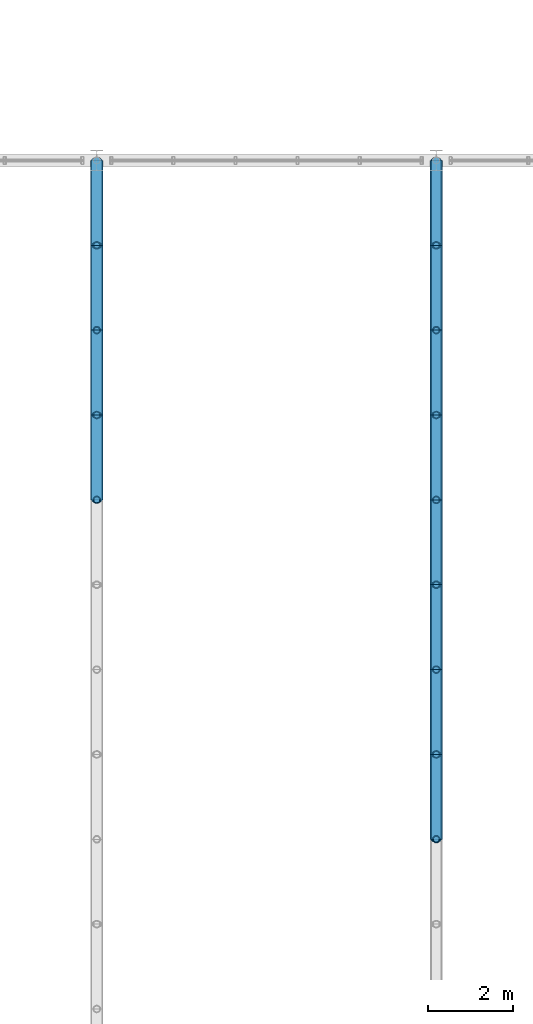
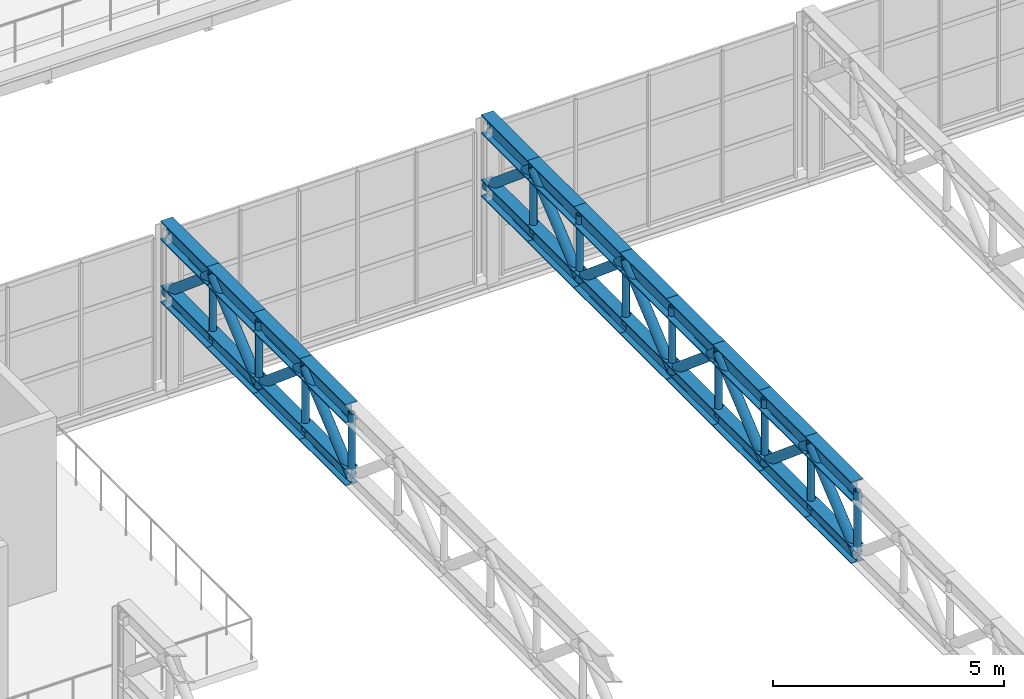
# One storey, part 27 of 67: 48 members.
"""IFC4 building model written with IfcOpenShell, lengths in metres."""

from ifc_helpers import new_model, si_unit, derived_unit, direction, frame, origin, origin_2d, place, context, subcontext, project, spatial, hollow_circle, i_section, extrude, material, material_profile, profile_set, type_object, element, save


model = new_model("IFC4")

# Units and contexts
model_context = context("Model", 3, precision=1e-05, world=origin(), true_north=direction((0.0, 1.0)))
body_context = subcontext(model_context, "Body", "Model", "MODEL_VIEW")
ifc_project = project(units=[si_unit("LENGTHUNIT", "METRE"), si_unit("AREAUNIT", "SQUARE_METRE"), si_unit("VOLUMEUNIT", "CUBIC_METRE"), si_unit("PLANEANGLEUNIT", "RADIAN"), si_unit("MASSUNIT", "GRAM", prefix="KILO"), derived_unit("THERMALTRANSMITTANCEUNIT", [(si_unit("POWERUNIT", "WATT"), 1), (si_unit("LENGTHUNIT", "METRE"), -2), (si_unit("THERMODYNAMICTEMPERATUREUNIT", "KELVIN"), -1)])], contexts=[model_context])

# Site, building, storey
site_placement = place(None, origin())
site = spatial("IfcSite", under=ifc_project, at=site_placement, CompositionType="ELEMENT")
building_placement = place(site_placement, origin())
building = spatial("IfcBuilding", under=site, at=building_placement, Name="Keldorne Ridge Multi-Sports Centre", CompositionType="ELEMENT")
storey_placement = place(building_placement, frame((0.0, 0.0, 14.0)))
storey = spatial("IfcBuildingStorey", under=building, at=storey_placement, Name="L03", CompositionType="ELEMENT", Elevation=14.0)

# Members
ifc_material = material(Name="Steel S355", Category="steel")
ifc_material_profile_1 = material_profile(ifc_material, i_section(OverallWidth=0.300048828125, OverallDepth=0.5, WebThickness=0.014404296875, FlangeThickness=0.028076171875, FilletRadius=0.027099609375, at=origin_2d()), Name="HEB 500")
ifc_profile_set_1 = profile_set([ifc_material_profile_1], Name="Steel S355")
member_type_1 = type_object("IfcMemberType", Name="MEM-TC-03", PredefinedType="CHORD", material=ifc_profile_set_1)
for number, where, z_axis, x_axis, name in (
    (1, (120.0, 46.0, 4.110107421875), (0.0, 1.0, 0.0), (-1.0, 0.0, 0.0), "Stacked Courts Warren TRUSS WT-L04-03 top chord 21"),
    (2, (120.0, 48.0, 4.110107421875), (0.0, 1.0, 0.0), (-1.0, 0.0, 0.0), "Stacked Courts Warren TRUSS WT-L04-03 top chord 22"),
    (3, (120.0, 50.0, 4.110107421875), (0.0, 1.0, 0.0), (-1.0, 0.0, 0.0), "Stacked Courts Warren TRUSS WT-L04-03 top chord 23"),
    (4, (120.0, 52.0, 4.110107421875), (0.0, 1.0, 0.0), (-1.0, 0.0, 0.0), "Stacked Courts Warren TRUSS WT-L04-03 top chord 24"),
    (5, (128.0, 38.0, 4.110107421875), (0.0, 1.0, 0.0), (-1.0, 0.0, 0.0), "Stacked Courts Warren TRUSS WT-L04-04 top chord 17"),
    (6, (128.0, 40.0, 4.110107421875), (0.0, 1.0, 0.0), (-1.0, 0.0, 0.0), "Stacked Courts Warren TRUSS WT-L04-04 top chord 18"),
    (7, (128.0, 42.0, 4.110107421875), (0.0, 1.0, 0.0), (-1.0, 0.0, 0.0), "Stacked Courts Warren TRUSS WT-L04-04 top chord 19"),
    (8, (128.0, 44.0, 4.110107421875), (0.0, 1.0, 0.0), (-1.0, 0.0, 0.0), "Stacked Courts Warren TRUSS WT-L04-04 top chord 20"),
    (9, (128.0, 46.0, 4.110107421875), (0.0, 1.0, 0.0), (-1.0, 0.0, 0.0), "Stacked Courts Warren TRUSS WT-L04-04 top chord 21"),
    (10, (128.0, 48.0, 4.110107421875), (0.0, 1.0, 0.0), (-1.0, 0.0, 0.0), "Stacked Courts Warren TRUSS WT-L04-04 top chord 22"),
    (11, (128.0, 50.0, 4.110107421875), (0.0, 1.0, 0.0), (-1.0, 0.0, 0.0), "Stacked Courts Warren TRUSS WT-L04-04 top chord 23"),
    (12, (128.0, 52.0, 4.110107421875), (0.0, 1.0, 0.0), (-1.0, 0.0, 0.0), "Stacked Courts Warren TRUSS WT-L04-04 top chord 24"),
):
    element("IfcMember", number, at=place(storey_placement, frame(where, z_axis=z_axis, x_axis=x_axis)), inside=storey, type_object=member_type_1, Name=name, PredefinedType="CHORD", context=body_context, shape_type="SweptSolid", body=[
        extrude(i_section(OverallWidth=0.300048828125, OverallDepth=0.5, WebThickness=0.014404296875, FlangeThickness=0.028076171875, FilletRadius=0.027099609375, at=origin_2d()), origin(), (0.0, 0.0, 1.0), 2.0),
    ])
ifc_material_profile_2 = material_profile(ifc_material, i_section(OverallWidth=0.300048828125, OverallDepth=0.449951171875, WebThickness=0.013916015625, FlangeThickness=0.02587890625, FilletRadius=0.027099609375, at=origin_2d()), Name="HEB 450")
ifc_profile_set_2 = profile_set([ifc_material_profile_2], Name="Steel S355")
member_type_2 = type_object("IfcMemberType", Name="MEM-TC-04", PredefinedType="CHORD", material=ifc_profile_set_2)
for number, where, z_axis, x_axis, name in (
    (13, (120.0, 46.0, 2.429931640625), (0.0, 1.0, 0.0), (-1.0, 0.0, 0.0), "Stacked Courts Warren TRUSS WT-L04-03 bottom chord 21"),
    (14, (120.0, 48.0, 2.429931640625), (0.0, 1.0, 0.0), (-1.0, 0.0, 0.0), "Stacked Courts Warren TRUSS WT-L04-03 bottom chord 22"),
    (15, (120.0, 50.0, 2.429931640625), (0.0, 1.0, 0.0), (-1.0, 0.0, 0.0), "Stacked Courts Warren TRUSS WT-L04-03 bottom chord 23"),
    (16, (120.0, 52.0, 2.429931640625), (0.0, 1.0, 0.0), (-1.0, 0.0, 0.0), "Stacked Courts Warren TRUSS WT-L04-03 bottom chord 24"),
    (17, (128.0, 38.0, 2.429931640625), (0.0, 1.0, 0.0), (-1.0, 0.0, 0.0), "Stacked Courts Warren TRUSS WT-L04-04 bottom chord 17"),
    (18, (128.0, 40.0, 2.429931640625), (0.0, 1.0, 0.0), (-1.0, 0.0, 0.0), "Stacked Courts Warren TRUSS WT-L04-04 bottom chord 18"),
    (19, (128.0, 42.0, 2.429931640625), (0.0, 1.0, 0.0), (-1.0, 0.0, 0.0), "Stacked Courts Warren TRUSS WT-L04-04 bottom chord 19"),
    (20, (128.0, 44.0, 2.429931640625), (0.0, 1.0, 0.0), (-1.0, 0.0, 0.0), "Stacked Courts Warren TRUSS WT-L04-04 bottom chord 20"),
    (21, (128.0, 46.0, 2.429931640625), (0.0, 1.0, 0.0), (-1.0, 0.0, 0.0), "Stacked Courts Warren TRUSS WT-L04-04 bottom chord 21"),
    (22, (128.0, 48.0, 2.429931640625), (0.0, 1.0, 0.0), (-1.0, 0.0, 0.0), "Stacked Courts Warren TRUSS WT-L04-04 bottom chord 22"),
    (23, (128.0, 50.0, 2.429931640625), (0.0, 1.0, 0.0), (-1.0, 0.0, 0.0), "Stacked Courts Warren TRUSS WT-L04-04 bottom chord 23"),
    (24, (128.0, 52.0, 2.429931640625), (0.0, 1.0, 0.0), (-1.0, 0.0, 0.0), "Stacked Courts Warren TRUSS WT-L04-04 bottom chord 24"),
):
    element("IfcMember", number, at=place(storey_placement, frame(where, z_axis=z_axis, x_axis=x_axis)), inside=storey, type_object=member_type_2, Name=name, PredefinedType="CHORD", context=body_context, shape_type="SweptSolid", body=[
        extrude(i_section(OverallWidth=0.300048828125, OverallDepth=0.449951171875, WebThickness=0.013916015625, FlangeThickness=0.02587890625, FilletRadius=0.027099609375, at=origin_2d()), origin(), (0.0, 0.0, 1.0), 2.0),
    ])
ifc_material_profile_3 = material_profile(ifc_material, hollow_circle(Radius=0.122314453125, WallThickness=0.012451171875, at=origin_2d()), Name="CHS 244.5x12.5")
ifc_profile_set_3 = profile_set([ifc_material_profile_3], Name="Steel S355")
member_type_3 = type_object("IfcMemberType", Name="MEM-TD-02", PredefinedType="BRACE", material=ifc_profile_set_3)
for number, where, z_axis, x_axis, name in (
    (25, (120.0, 46.0, 2.429931640625), (0.0, 0.765671721121, 0.643231541108), (-1.0, 0.0, 0.0), "Stacked Courts Warren TRUSS WT-L04-03 diagonal 21"),
    (26, (120.0, 48.0, 4.110107421875), (0.0, 0.765671721121, -0.643231541108), (-1.0, 0.0, 0.0), "Stacked Courts Warren TRUSS WT-L04-03 diagonal 22"),
    (27, (120.0, 50.0, 2.429931640625), (0.0, 0.765671721121, 0.643231541108), (-1.0, 0.0, 0.0), "Stacked Courts Warren TRUSS WT-L04-03 diagonal 23"),
    (28, (120.0, 52.0, 4.110107421875), (0.0, 0.765671721121, -0.643231541108), (-1.0, 0.0, 0.0), "Stacked Courts Warren TRUSS WT-L04-03 diagonal 24"),
    (29, (128.0, 38.0, 2.429931640625), (0.0, 0.765671721121, 0.643231541108), (-1.0, 0.0, 0.0), "Stacked Courts Warren TRUSS WT-L04-04 diagonal 17"),
    (30, (128.0, 40.0, 4.110107421875), (0.0, 0.765671721121, -0.643231541108), (-1.0, 0.0, 0.0), "Stacked Courts Warren TRUSS WT-L04-04 diagonal 18"),
    (31, (128.0, 42.0, 2.429931640625), (0.0, 0.765671721121, 0.643231541108), (-1.0, 0.0, 0.0), "Stacked Courts Warren TRUSS WT-L04-04 diagonal 19"),
    (32, (128.0, 44.0, 4.110107421875), (0.0, 0.765671721121, -0.643231541108), (-1.0, 0.0, 0.0), "Stacked Courts Warren TRUSS WT-L04-04 diagonal 20"),
    (33, (128.0, 46.0, 2.429931640625), (0.0, 0.765671721121, 0.643231541108), (-1.0, 0.0, 0.0), "Stacked Courts Warren TRUSS WT-L04-04 diagonal 21"),
    (34, (128.0, 48.0, 4.110107421875), (0.0, 0.765671721121, -0.643231541108), (-1.0, 0.0, 0.0), "Stacked Courts Warren TRUSS WT-L04-04 diagonal 22"),
    (35, (128.0, 50.0, 2.429931640625), (0.0, 0.765671721121, 0.643231541108), (-1.0, 0.0, 0.0), "Stacked Courts Warren TRUSS WT-L04-04 diagonal 23"),
    (36, (128.0, 52.0, 4.110107421875), (0.0, 0.765671721121, -0.643231541108), (-1.0, 0.0, 0.0), "Stacked Courts Warren TRUSS WT-L04-04 diagonal 24"),
):
    element("IfcMember", number, at=place(storey_placement, frame(where, z_axis=z_axis, x_axis=x_axis)), inside=storey, type_object=member_type_3, Name=name, PredefinedType="BRACE", context=body_context, shape_type="SweptSolid", body=[
        extrude(hollow_circle(Radius=0.122314453125, WallThickness=0.012451171875, at=origin_2d()), origin(), (0.0, 0.0, 1.0), 2.612060546875),
    ])
ifc_material_profile_4 = material_profile(ifc_material, hollow_circle(Radius=0.084228515625, WallThickness=0.010009765625, at=origin_2d()), Name="CHS 168.3x10")
ifc_profile_set_4 = profile_set([ifc_material_profile_4], Name="Steel S355")
member_type_4 = type_object("IfcMemberType", Name="MEM-TV-01", PredefinedType="STRUT", material=ifc_profile_set_4)
for number, where, z_axis, x_axis, name in (
    (37, (120.0, 46.0, 2.429931640625), (0.0, 0.0, 1.0), (1.0, 0.0, 0.0), "Stacked Courts Warren TRUSS WT-L04-03 post 21"),
    (38, (120.0, 48.0, 2.429931640625), (0.0, 0.0, 1.0), (1.0, 0.0, 0.0), "Stacked Courts Warren TRUSS WT-L04-03 post 22"),
    (39, (120.0, 50.0, 2.429931640625), (0.0, 0.0, 1.0), (1.0, 0.0, 0.0), "Stacked Courts Warren TRUSS WT-L04-03 post 23"),
    (40, (120.0, 52.0, 2.429931640625), (0.0, 0.0, 1.0), (1.0, 0.0, 0.0), "Stacked Courts Warren TRUSS WT-L04-03 post 24"),
    (41, (128.0, 38.0, 2.429931640625), (0.0, 0.0, 1.0), (1.0, 0.0, 0.0), "Stacked Courts Warren TRUSS WT-L04-04 post 17"),
    (42, (128.0, 40.0, 2.429931640625), (0.0, 0.0, 1.0), (1.0, 0.0, 0.0), "Stacked Courts Warren TRUSS WT-L04-04 post 18"),
    (43, (128.0, 42.0, 2.429931640625), (0.0, 0.0, 1.0), (1.0, 0.0, 0.0), "Stacked Courts Warren TRUSS WT-L04-04 post 19"),
    (44, (128.0, 44.0, 2.429931640625), (0.0, 0.0, 1.0), (1.0, 0.0, 0.0), "Stacked Courts Warren TRUSS WT-L04-04 post 20"),
    (45, (128.0, 46.0, 2.429931640625), (0.0, 0.0, 1.0), (1.0, 0.0, 0.0), "Stacked Courts Warren TRUSS WT-L04-04 post 21"),
    (46, (128.0, 48.0, 2.429931640625), (0.0, 0.0, 1.0), (1.0, 0.0, 0.0), "Stacked Courts Warren TRUSS WT-L04-04 post 22"),
    (47, (128.0, 50.0, 2.429931640625), (0.0, 0.0, 1.0), (1.0, 0.0, 0.0), "Stacked Courts Warren TRUSS WT-L04-04 post 23"),
    (48, (128.0, 52.0, 2.429931640625), (0.0, 0.0, 1.0), (1.0, 0.0, 0.0), "Stacked Courts Warren TRUSS WT-L04-04 post 24"),
):
    element("IfcMember", number, at=place(storey_placement, frame(where, z_axis=z_axis, x_axis=x_axis)), inside=storey, type_object=member_type_4, Name=name, PredefinedType="STRUT", context=body_context, shape_type="SweptSolid", body=[
        extrude(hollow_circle(Radius=0.084228515625, WallThickness=0.010009765625, at=origin_2d()), origin(), (0.0, 0.0, 1.0), 1.68017578125),
    ])

save(model, "model.ifc")
